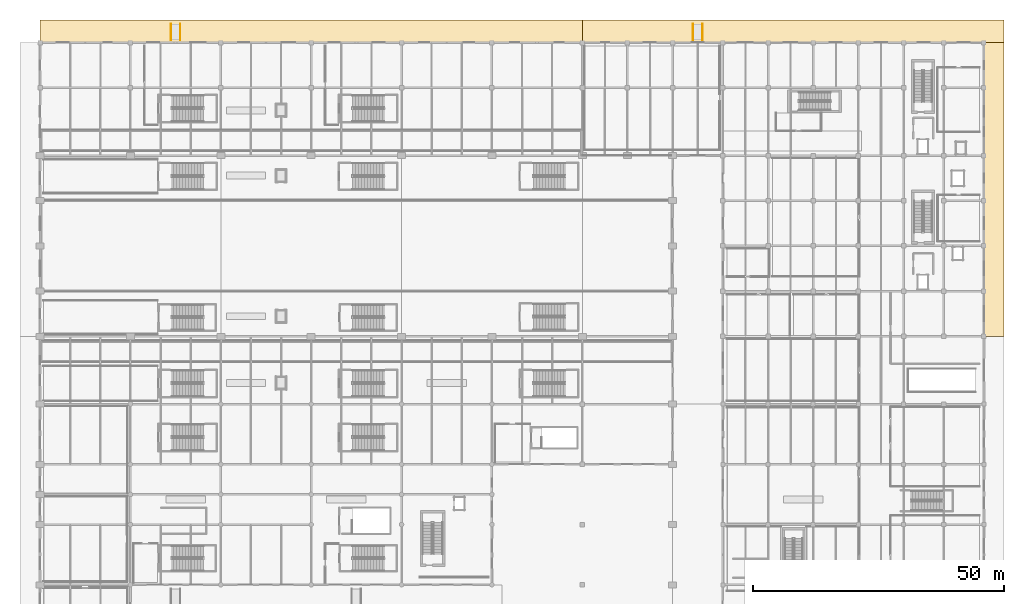
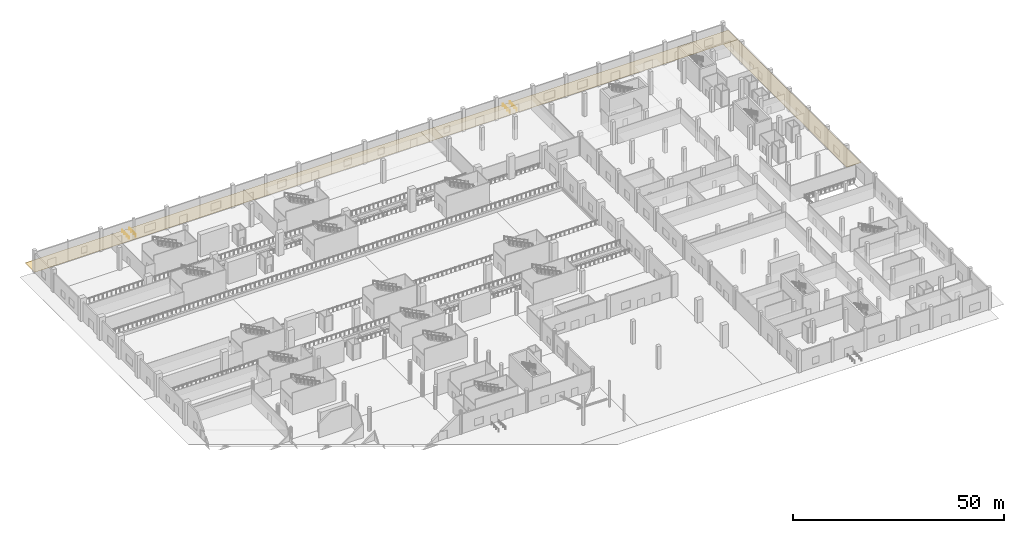
# One storey, part 64 of 65: 4 railings, 3 coverings.
"""IFC4 building model written with IfcOpenShell, lengths in metres."""

from ifc_helpers import new_model, si_unit, direction, frame, origin, origin_2d, place, context, subcontext, project, spatial, polyline, circle, outline, extrude, material, layer, layer_set, type_object, element, save


model = new_model("IFC4")

# Units and contexts
model_context = context("Model", 3, precision=1e-05, world=origin(), true_north=direction((0.0, 1.0)))
body_context = subcontext(model_context, "Body", "Model", "MODEL_VIEW")
ifc_project = project(units=[si_unit("LENGTHUNIT", "METRE"), si_unit("AREAUNIT", "SQUARE_METRE"), si_unit("VOLUMEUNIT", "CUBIC_METRE"), si_unit("PLANEANGLEUNIT", "RADIAN"), si_unit("MASSUNIT", "GRAM", prefix="KILO")], contexts=[model_context])

# Site, building, storey
site_placement = place(None, origin())
site = spatial("IfcSite", under=ifc_project, at=site_placement, CompositionType="ELEMENT")
building_placement = place(site_placement, origin())
building = spatial("IfcBuilding", under=site, at=building_placement, Name="Chuanluo Vaults Station", CompositionType="ELEMENT")
storey_placement = place(building_placement, origin())
storey = spatial("IfcBuildingStorey", under=building, at=storey_placement, Name="L00", CompositionType="ELEMENT", Elevation=0.0)

# Coverings
ifc_material_1 = material(Name="Granite stone flooring", Category="masonry")
ifc_layer = layer(ifc_material_1, 0.034912109375)
ifc_layer_set = layer_set([ifc_layer], Name="Granite stone flooring")
covering_type = type_object("IfcCoveringType", Name="COV-FLOR-GRAN", PredefinedType="FLOORING", material=ifc_layer_set)
covering_1_placement = place(storey_placement, frame((0.0, 0.0, -0.0400390625)))
element("IfcCovering", 1, at=covering_1_placement, inside=storey, type_object=covering_type, Name="Exterior plaza granite paving NORTH1", PredefinedType="FLOORING", context=body_context, shape_type="SweptSolid", body=[
    extrude(outline(polyline([(0.0, 126.0), (108.0, 126.0), (108.0, 130.5), (0.0, 130.5), (0.0, 126.0)])), origin(), (0.0, 0.0, 1.0), 0.0400390625),
])
covering_2_placement = place(storey_placement, frame((0.0, 0.0, -0.0400390625)))
element("IfcCovering", 2, at=covering_2_placement, inside=storey, type_object=covering_type, Name="Exterior plaza granite paving NORTH2", PredefinedType="FLOORING", context=body_context, shape_type="SweptSolid", body=[
    extrude(outline(polyline([(108.0, 126.0), (192.0, 126.0), (192.0, 130.5), (108.0, 130.5), (108.0, 126.0)])), origin(), (0.0, 0.0, 1.0), 0.0400390625),
])
covering_3_placement = place(storey_placement, frame((0.0, 0.0, -0.0400390625)))
element("IfcCovering", 3, at=covering_3_placement, inside=storey, type_object=covering_type, Name="Exterior plaza granite paving EAST2", PredefinedType="FLOORING", context=body_context, shape_type="SweptSolid", body=[
    extrude(outline(polyline([(188.0, 67.5), (192.0, 67.5), (192.0, 126.0), (188.0, 126.0), (188.0, 67.5)])), origin(), (0.0, 0.0, 1.0), 0.0400390625),
])

# Railings
ifc_material_2 = material(Name="Brushed stainless steel 304", Category="steel")
railing_type = type_object("IfcRailingType", Name="RLG-HAND-900", PredefinedType="HANDRAIL", material=ifc_material_2)
for number, where, name in (
    (4, (130.06005859375, 129.699951171875, 0.0), "Accessible ramp handrail RM-A4-W"),
    (5, (131.93994140625, 129.699951171875, 0.0), "Accessible ramp handrail RM-A4-E"),
    (6, (26.06005859375, 129.699951171875, 0.0), "Accessible ramp handrail RM-A5-W"),
    (7, (27.93994140625, 129.699951171875, 0.0), "Accessible ramp handrail RM-A5-E"),
):
    element("IfcRailing", number, at=place(storey_placement, frame(where)), inside=storey, type_object=railing_type, Name=name, PredefinedType="HANDRAIL", context=body_context, shape_type="SweptSolid", body=[
        extrude(circle(Radius=0.02392578125, at=origin_2d()), frame((0.0, 0.0, 0.8759765625), z_axis=(0.0, -1.0, 0.0), x_axis=(1.0, 0.0, 0.0)), (0.0, 0.0, 1.0), 3.199951171875),
        extrude(circle(Radius=0.02099609375, at=origin_2d()), origin(), (0.0, 0.0, 1.0), 0.851806640625),
        extrude(circle(Radius=0.02099609375, at=origin_2d()), frame((0.0, -1.066650390625, 0.0)), (0.0, 0.0, 1.0), 0.851806640625),
        extrude(circle(Radius=0.02099609375, at=origin_2d()), frame((0.0, -2.13330078125, 0.0)), (0.0, 0.0, 1.0), 0.851806640625),
        extrude(circle(Radius=0.02099609375, at=origin_2d()), frame((0.0, -3.199951171875, 0.0)), (0.0, 0.0, 1.0), 0.851806640625),
    ])

save(model, "model.ifc")
